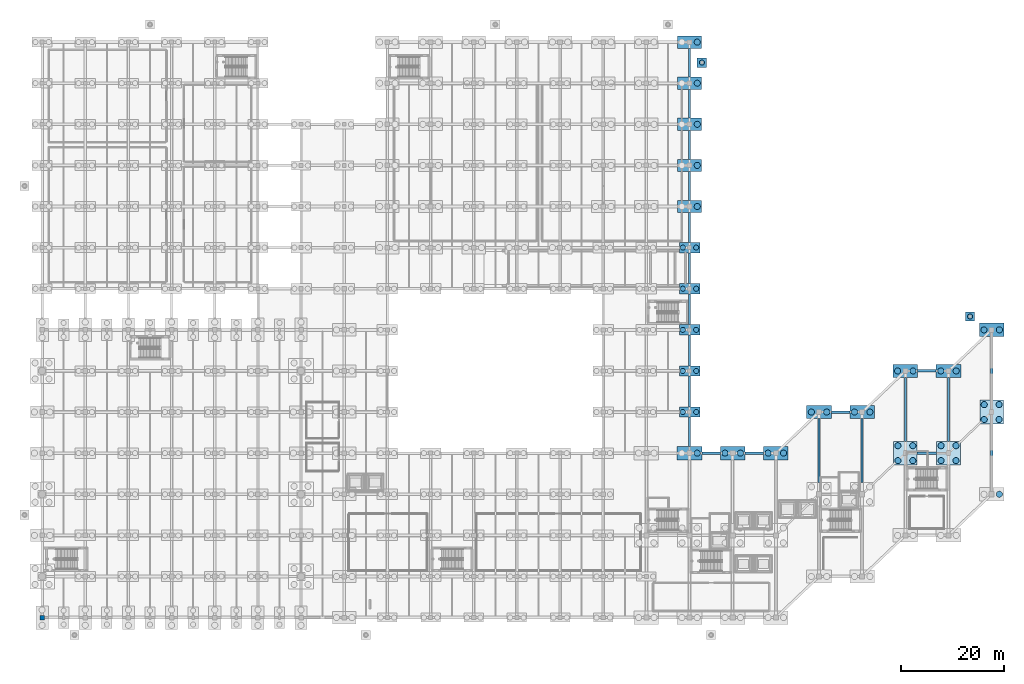
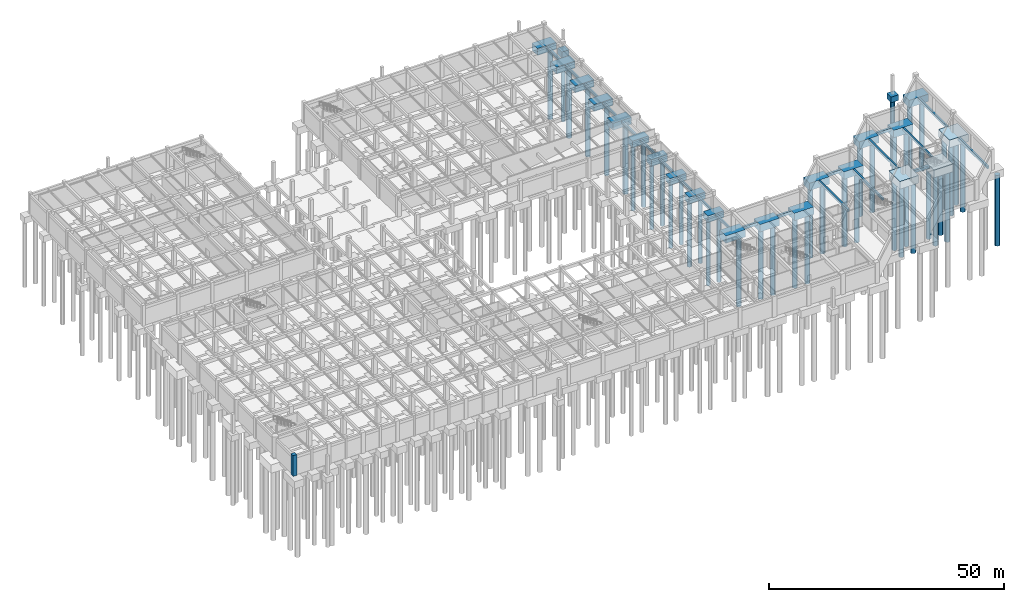
# One storey, part 10 of 56: 45 piles, 44 footings, 1 column.
"""IFC4 building model written with IfcOpenShell, lengths in metres."""

from ifc_helpers import new_model, si_unit, direction, frame, origin, origin_with_axes, origin_2d, place, context, subcontext, project, spatial, rectangle, circle, extrude, material, material_profile, profile_set, type_object, element, save


model = new_model("IFC4")

# Units and contexts
model_context = context("Model", 3, precision=1e-05, world=origin(), true_north=direction((0.0, 1.0)))
body_context = subcontext(model_context, "Body", "Model", "MODEL_VIEW")
ifc_project = project(units=[si_unit("LENGTHUNIT", "METRE"), si_unit("AREAUNIT", "SQUARE_METRE"), si_unit("VOLUMEUNIT", "CUBIC_METRE"), si_unit("PLANEANGLEUNIT", "RADIAN"), si_unit("MASSUNIT", "GRAM", prefix="KILO")], contexts=[model_context])

# Site, building, storey
site_placement = place(None, origin())
site = spatial("IfcSite", under=ifc_project, at=site_placement, CompositionType="ELEMENT")
building_placement = place(site_placement, origin())
building = spatial("IfcBuilding", under=site, at=building_placement, Name="Naruveol Harbour Congress Hotel", CompositionType="ELEMENT")
storey_placement = place(building_placement, frame((0.0, 0.0, -5.39990234375)))
storey = spatial("IfcBuildingStorey", under=building, at=storey_placement, Name="B01", CompositionType="ELEMENT", Elevation=-5.39990234375)

# Piles
ifc_material_1 = material(Name="Concrete C40/50", Category="concrete")
ifc_material_profile_1 = material_profile(ifc_material_1, circle(Radius=0.5, at=origin_2d()), Name="BP-1000")
ifc_profile_set_1 = profile_set([ifc_material_profile_1], Name="Concrete C40/50")
pile_type_1 = type_object("IfcPileType", Name="BORED ROCK SOCKETED PILE D1000", PredefinedType="BORED", material=ifc_profile_set_1)
for number, where, z_axis, x_axis, name in (
    (1, (124.699951171875, 40.0, -1.550048828125), (0.0, 0.0, -1.0), (1.0, 0.0, 0.0), "Bored pile BP-1000 #1 under FTG-CAP-1260-0400"),
    (2, (127.300048828125, 40.0, -1.550048828125), (0.0, 0.0, -1.0), (1.0, 0.0, 0.0), "Bored pile BP-1000 #2 under FTG-CAP-1260-0400"),
    (3, (124.699951171875, 48.0, -1.550048828125), (0.0, 0.0, -1.0), (1.0, 0.0, 0.0), "Bored pile BP-1000 #1 under FTG-CAP-1260-0480"),
    (4, (127.300048828125, 48.0, -1.550048828125), (0.0, 0.0, -1.0), (1.0, 0.0, 0.0), "Bored pile BP-1000 #2 under FTG-CAP-1260-0480"),
    (5, (124.699951171875, 56.0, -1.550048828125), (0.0, 0.0, -1.0), (1.0, 0.0, 0.0), "Bored pile BP-1000 #1 under FTG-CAP-1260-0560"),
    (6, (127.300048828125, 56.0, -1.550048828125), (0.0, 0.0, -1.0), (1.0, 0.0, 0.0), "Bored pile BP-1000 #2 under FTG-CAP-1260-0560"),
    (7, (124.699951171875, 64.0, -1.550048828125), (0.0, 0.0, -1.0), (1.0, 0.0, 0.0), "Bored pile BP-1000 #1 under FTG-CAP-1260-0640"),
    (8, (127.300048828125, 64.0, -1.550048828125), (0.0, 0.0, -1.0), (1.0, 0.0, 0.0), "Bored pile BP-1000 #2 under FTG-CAP-1260-0640"),
    (9, (124.699951171875, 72.0, -1.550048828125), (0.0, 0.0, -1.0), (1.0, 0.0, 0.0), "Bored pile BP-1000 #1 under FTG-CAP-1260-0720"),
    (10, (127.300048828125, 72.0, -1.550048828125), (0.0, 0.0, -1.0), (1.0, 0.0, 0.0), "Bored pile BP-1000 #2 under FTG-CAP-1260-0720"),
):
    element("IfcPile", number, at=place(storey_placement, frame(where, z_axis=z_axis, x_axis=x_axis)), inside=storey, type_object=pile_type_1, Name=name, PredefinedType="BORED", context=body_context, shape_type="SweptSolid", body=[
        extrude(circle(Radius=0.5, at=origin_2d()), origin(), (0.0, 0.0, 1.0), 17.050048828125),
    ])
for number, where, z_axis, x_axis, name in (
    (11, (128.39990234375, 108.0, -1.35009765625), (0.0, 0.0, -1.0), (1.0, 0.0, 0.0), "Bored pile BP-1000 #1 under FTG-CAP-1284-1080"),
    (12, (180.60009765625, 58.60009765625, -1.35009765625), (0.0, 0.0, -1.0), (1.0, 0.0, 0.0), "Bored pile BP-1000 #1 under FTG-CAP-1806-0586"),
):
    element("IfcPile", number, at=place(storey_placement, frame(where, z_axis=z_axis, x_axis=x_axis)), inside=storey, type_object=pile_type_1, Name=name, PredefinedType="BORED", context=body_context, shape_type="SweptSolid", body=[
        extrude(circle(Radius=0.5, at=origin_2d()), origin(), (0.0, 0.0, 1.0), 17.25),
    ])
ifc_material_2 = material(Name="Concrete C40/50", Category="concrete")
ifc_material_profile_2 = material_profile(ifc_material_2, circle(Radius=0.60009765625, at=origin_2d()), Name="BP-1200")
ifc_profile_set_2 = profile_set([ifc_material_profile_2], Name="Concrete C40/50")
pile_type_2 = type_object("IfcPileType", Name="BORED ROCK SOCKETED PILE D1200", PredefinedType="BORED", material=ifc_profile_set_2)
pile_placement = place(storey_placement, frame((127.5, 32.0, -1.75), z_axis=(0.0, 0.0, -1.0), x_axis=(1.0, 0.0, 0.0)))
element("IfcPile", 13, at=pile_placement, inside=storey, type_object=pile_type_2, Name="Bored pile BP-1200 #2 under FTG-CAP-1260-0320", PredefinedType="BORED", context=body_context, shape_type="SweptSolid", body=[
    extrude(circle(Radius=0.60009765625, at=origin_2d()), origin(), (0.0, 0.0, 1.0), 18.35009765625),
])
for number, where, z_axis, x_axis, name in (
    (14, (127.5, 80.0, -1.650146484375), (0.0, 0.0, -1.0), (1.0, 0.0, 0.0), "Bored pile BP-1200 #2 under FTG-CAP-1260-0800"),
    (15, (127.5, 88.0, -1.650146484375), (0.0, 0.0, -1.0), (1.0, 0.0, 0.0), "Bored pile BP-1200 #2 under FTG-CAP-1260-0880"),
    (16, (127.5, 96.0, -1.650146484375), (0.0, 0.0, -1.0), (1.0, 0.0, 0.0), "Bored pile BP-1200 #2 under FTG-CAP-1260-0960"),
    (17, (127.5, 104.0, -1.650146484375), (0.0, 0.0, -1.0), (1.0, 0.0, 0.0), "Bored pile BP-1200 #2 under FTG-CAP-1260-1040"),
    (18, (127.5, 112.0, -1.650146484375), (0.0, 0.0, -1.0), (1.0, 0.0, 0.0), "Bored pile BP-1200 #2 under FTG-CAP-1260-1120"),
):
    element("IfcPile", number, at=place(storey_placement, frame(where, z_axis=z_axis, x_axis=x_axis)), inside=storey, type_object=pile_type_2, Name=name, PredefinedType="BORED", context=body_context, shape_type="SweptSolid", body=[
        extrude(circle(Radius=0.60009765625, at=origin_2d()), origin(), (0.0, 0.0, 1.0), 18.449951171875),
    ])
for number, where, z_axis, x_axis, name in (
    (19, (132.89990234375, 32.0, -1.75), (0.0, 0.0, -1.0), (1.0, 0.0, 0.0), "Bored pile BP-1200 #1 under FTG-CAP-1344-0320"),
    (20, (135.89990234375, 32.0, -1.75), (0.0, 0.0, -1.0), (1.0, 0.0, 0.0), "Bored pile BP-1200 #2 under FTG-CAP-1344-0320"),
    (21, (141.300048828125, 32.0, -1.75), (0.0, 0.0, -1.0), (1.0, 0.0, 0.0), "Bored pile BP-1200 #1 under FTG-CAP-1428-0320"),
    (22, (144.300048828125, 32.0, -1.75), (0.0, 0.0, -1.0), (1.0, 0.0, 0.0), "Bored pile BP-1200 #2 under FTG-CAP-1428-0320"),
    (23, (149.699951171875, 40.0, -1.75), (0.0, 0.0, -1.0), (1.0, 0.0, 0.0), "Bored pile BP-1200 #1 under FTG-CAP-1512-0400"),
    (24, (152.699951171875, 40.0, -1.75), (0.0, 0.0, -1.0), (1.0, 0.0, 0.0), "Bored pile BP-1200 #2 under FTG-CAP-1512-0400"),
    (25, (158.10009765625, 40.0, -1.75), (0.0, 0.0, -1.0), (1.0, 0.0, 0.0), "Bored pile BP-1200 #1 under FTG-CAP-1596-0400"),
    (26, (161.10009765625, 40.0, -1.75), (0.0, 0.0, -1.0), (1.0, 0.0, 0.0), "Bored pile BP-1200 #2 under FTG-CAP-1596-0400"),
):
    element("IfcPile", number, at=place(storey_placement, frame(where, z_axis=z_axis, x_axis=x_axis)), inside=storey, type_object=pile_type_2, Name=name, PredefinedType="BORED", context=body_context, shape_type="SweptSolid", body=[
        extrude(circle(Radius=0.60009765625, at=origin_2d()), origin(), (0.0, 0.0, 1.0), 18.35009765625),
    ])
for number, where, z_axis, x_axis, name in (
    (27, (166.550048828125, 30.550048828125, -1.85009765625), (0.0, 0.0, -1.0), (1.0, 0.0, 0.0), "Bored pile BP-1200 #1 under FTG-CAP-1680-0320"),
    (28, (169.449951171875, 30.550048828125, -1.85009765625), (0.0, 0.0, -1.0), (1.0, 0.0, 0.0), "Bored pile BP-1200 #2 under FTG-CAP-1680-0320"),
    (29, (166.550048828125, 33.449951171875, -1.85009765625), (0.0, 0.0, -1.0), (1.0, 0.0, 0.0), "Bored pile BP-1200 #3 under FTG-CAP-1680-0320"),
    (30, (169.449951171875, 33.449951171875, -1.85009765625), (0.0, 0.0, -1.0), (1.0, 0.0, 0.0), "Bored pile BP-1200 #4 under FTG-CAP-1680-0320"),
):
    element("IfcPile", number, at=place(storey_placement, frame(where, z_axis=z_axis, x_axis=x_axis)), inside=storey, type_object=pile_type_2, Name=name, PredefinedType="BORED", context=body_context, shape_type="SweptSolid", body=[
        extrude(circle(Radius=0.60009765625, at=origin_2d()), origin(), (0.0, 0.0, 1.0), 18.25),
    ])
for number, where, z_axis, x_axis, name in (
    (31, (166.5, 48.0, -1.75), (0.0, 0.0, -1.0), (1.0, 0.0, 0.0), "Bored pile BP-1200 #1 under FTG-CAP-1680-0480"),
    (32, (169.5, 48.0, -1.75), (0.0, 0.0, -1.0), (1.0, 0.0, 0.0), "Bored pile BP-1200 #2 under FTG-CAP-1680-0480"),
):
    element("IfcPile", number, at=place(storey_placement, frame(where, z_axis=z_axis, x_axis=x_axis)), inside=storey, type_object=pile_type_2, Name=name, PredefinedType="BORED", context=body_context, shape_type="SweptSolid", body=[
        extrude(circle(Radius=0.60009765625, at=origin_2d()), origin(), (0.0, 0.0, 1.0), 18.35009765625),
    ])
for number, where, z_axis, x_axis, name in (
    (33, (174.949951171875, 30.550048828125, -1.85009765625), (0.0, 0.0, -1.0), (1.0, 0.0, 0.0), "Bored pile BP-1200 #1 under FTG-CAP-1764-0320"),
    (34, (177.85009765625, 30.550048828125, -1.85009765625), (0.0, 0.0, -1.0), (1.0, 0.0, 0.0), "Bored pile BP-1200 #2 under FTG-CAP-1764-0320"),
    (35, (174.949951171875, 33.449951171875, -1.85009765625), (0.0, 0.0, -1.0), (1.0, 0.0, 0.0), "Bored pile BP-1200 #3 under FTG-CAP-1764-0320"),
    (36, (177.85009765625, 33.449951171875, -1.85009765625), (0.0, 0.0, -1.0), (1.0, 0.0, 0.0), "Bored pile BP-1200 #4 under FTG-CAP-1764-0320"),
):
    element("IfcPile", number, at=place(storey_placement, frame(where, z_axis=z_axis, x_axis=x_axis)), inside=storey, type_object=pile_type_2, Name=name, PredefinedType="BORED", context=body_context, shape_type="SweptSolid", body=[
        extrude(circle(Radius=0.60009765625, at=origin_2d()), origin(), (0.0, 0.0, 1.0), 18.25),
    ])
for number, where, z_axis, x_axis, name in (
    (37, (174.89990234375, 48.0, -1.75), (0.0, 0.0, -1.0), (1.0, 0.0, 0.0), "Bored pile BP-1200 #1 under FTG-CAP-1764-0480"),
    (38, (177.89990234375, 48.0, -1.75), (0.0, 0.0, -1.0), (1.0, 0.0, 0.0), "Bored pile BP-1200 #2 under FTG-CAP-1764-0480"),
    (39, (186.300048828125, 24.0, -1.75), (0.0, 0.0, -1.0), (1.0, 0.0, 0.0), "Bored pile BP-1200 #2 under FTG-CAP-1848-0240"),
):
    element("IfcPile", number, at=place(storey_placement, frame(where, z_axis=z_axis, x_axis=x_axis)), inside=storey, type_object=pile_type_2, Name=name, PredefinedType="BORED", context=body_context, shape_type="SweptSolid", body=[
        extrude(circle(Radius=0.60009765625, at=origin_2d()), origin(), (0.0, 0.0, 1.0), 18.35009765625),
    ])
for number, where, z_axis, x_axis, name in (
    (40, (183.35009765625, 38.550048828125, -1.85009765625), (0.0, 0.0, -1.0), (1.0, 0.0, 0.0), "Bored pile BP-1200 #1 under FTG-CAP-1848-0400"),
    (41, (186.25, 38.550048828125, -1.85009765625), (0.0, 0.0, -1.0), (1.0, 0.0, 0.0), "Bored pile BP-1200 #2 under FTG-CAP-1848-0400"),
    (42, (183.35009765625, 41.449951171875, -1.85009765625), (0.0, 0.0, -1.0), (1.0, 0.0, 0.0), "Bored pile BP-1200 #3 under FTG-CAP-1848-0400"),
    (43, (186.25, 41.449951171875, -1.85009765625), (0.0, 0.0, -1.0), (1.0, 0.0, 0.0), "Bored pile BP-1200 #4 under FTG-CAP-1848-0400"),
):
    element("IfcPile", number, at=place(storey_placement, frame(where, z_axis=z_axis, x_axis=x_axis)), inside=storey, type_object=pile_type_2, Name=name, PredefinedType="BORED", context=body_context, shape_type="SweptSolid", body=[
        extrude(circle(Radius=0.60009765625, at=origin_2d()), origin(), (0.0, 0.0, 1.0), 18.25),
    ])
for number, where, z_axis, x_axis, name in (
    (44, (183.300048828125, 56.0, -1.75), (0.0, 0.0, -1.0), (1.0, 0.0, 0.0), "Bored pile BP-1200 #1 under FTG-CAP-1848-0560"),
    (45, (186.300048828125, 56.0, -1.75), (0.0, 0.0, -1.0), (1.0, 0.0, 0.0), "Bored pile BP-1200 #2 under FTG-CAP-1848-0560"),
):
    element("IfcPile", number, at=place(storey_placement, frame(where, z_axis=z_axis, x_axis=x_axis)), inside=storey, type_object=pile_type_2, Name=name, PredefinedType="BORED", context=body_context, shape_type="SweptSolid", body=[
        extrude(circle(Radius=0.60009765625, at=origin_2d()), origin(), (0.0, 0.0, 1.0), 18.35009765625),
    ])

# Footings
ifc_material_3 = material(Name="Concrete C40/50", Category="concrete")
footing_type_1 = type_object("IfcFootingType", Name="RC APRON EDGE PILE CAP 1800X1800X1500", PredefinedType="PILE_CAP", material=ifc_material_3)
for number, where, z_axis, x_axis, name in (
    (46, (128.39990234375, 108.0, -1.5), (0.0, 0.0, 1.0), (1.0, 0.0, 0.0), "Pile cap PC9 at (128.4, 108.0)"),
    (47, (180.60009765625, 58.60009765625, -1.5), (0.0, 0.0, 1.0), (1.0, 0.0, 0.0), "Pile cap PC9 at (180.6, 58.6)"),
):
    element("IfcFooting", number, at=place(storey_placement, frame(where, z_axis=z_axis, x_axis=x_axis)), inside=storey, type_object=footing_type_1, Name=name, PredefinedType="PILE_CAP", context=body_context, shape_type="SweptSolid", body=[
        extrude(rectangle(XDim=1.800048828125, YDim=1.800048828125, at=origin_2d()), origin(), (0.0, 0.0, 1.0), 1.5),
    ])
ifc_material_4 = material(Name="Concrete C40/50", Category="concrete")
ifc_material_profile_3 = material_profile(ifc_material_4, rectangle(XDim=0.39990234375, YDim=0.64990234375, at=origin_2d()), Name="RCB-400x650")
ifc_profile_set_3 = profile_set([ifc_material_profile_3], Name="Concrete C40/50")
footing_type_2 = type_object("IfcFootingType", Name="RC COLONNADE TIE BEAM 400X650", PredefinedType="FOOTING_BEAM", material=ifc_profile_set_3)
footing_1_placement = place(storey_placement, frame((126.0, 33.300048828125, -0.3251953125), z_axis=(0.0, 1.0, 0.0), x_axis=(-1.0, 0.0, 0.0)))
element("IfcFooting", 48, at=footing_1_placement, inside=storey, type_object=footing_type_2, Name="Foundation tie beam TB4 #417", PredefinedType="FOOTING_BEAM", context=body_context, shape_type="SweptSolid", body=[
    extrude(rectangle(XDim=0.39990234375, YDim=0.64990234375, at=origin_2d()), origin(), (0.0, 0.0, 1.0), 5.699951171875),
])
for number, where, z_axis, x_axis, name in (
    (49, (126.0, 41.0, -0.3251953125), (0.0, 1.0, 0.0), (-1.0, 0.0, 0.0), "Foundation tie beam TB4 #418"),
    (50, (126.0, 49.0, -0.3251953125), (0.0, 1.0, 0.0), (-1.0, 0.0, 0.0), "Foundation tie beam TB4 #419"),
    (51, (126.0, 57.0, -0.3251953125), (0.0, 1.0, 0.0), (-1.0, 0.0, 0.0), "Foundation tie beam TB4 #420"),
    (52, (126.0, 65.0, -0.3251953125), (0.0, 1.0, 0.0), (-1.0, 0.0, 0.0), "Foundation tie beam TB4 #421"),
):
    element("IfcFooting", number, at=place(storey_placement, frame(where, z_axis=z_axis, x_axis=x_axis)), inside=storey, type_object=footing_type_2, Name=name, PredefinedType="FOOTING_BEAM", context=body_context, shape_type="SweptSolid", body=[
        extrude(rectangle(XDim=0.39990234375, YDim=0.64990234375, at=origin_2d()), origin(), (0.0, 0.0, 1.0), 6.0),
    ])
footing_2_placement = place(storey_placement, frame((126.0, 73.0, -0.3251953125), z_axis=(0.0, 1.0, 0.0), x_axis=(-1.0, 0.0, 0.0)))
element("IfcFooting", 53, at=footing_2_placement, inside=storey, type_object=footing_type_2, Name="Foundation tie beam TB4 #422", PredefinedType="FOOTING_BEAM", context=body_context, shape_type="SweptSolid", body=[
    extrude(rectangle(XDim=0.39990234375, YDim=0.64990234375, at=origin_2d()), origin(), (0.0, 0.0, 1.0), 5.800048828125),
])
for number, where, z_axis, x_axis, name in (
    (54, (126.0, 81.199951171875, -0.3251953125), (0.0, 1.0, 0.0), (-1.0, 0.0, 0.0), "Foundation tie beam TB4 #423"),
    (55, (126.0, 89.199951171875, -0.3251953125), (0.0, 1.0, 0.0), (-1.0, 0.0, 0.0), "Foundation tie beam TB4 #424"),
    (56, (126.0, 97.199951171875, -0.3251953125), (0.0, 1.0, 0.0), (-1.0, 0.0, 0.0), "Foundation tie beam TB4 #425"),
    (57, (126.0, 105.199951171875, -0.3251953125), (0.0, 1.0, 0.0), (-1.0, 0.0, 0.0), "Foundation tie beam TB4 #426"),
):
    element("IfcFooting", number, at=place(storey_placement, frame(where, z_axis=z_axis, x_axis=x_axis)), inside=storey, type_object=footing_type_2, Name=name, PredefinedType="FOOTING_BEAM", context=body_context, shape_type="SweptSolid", body=[
        extrude(rectangle(XDim=0.39990234375, YDim=0.64990234375, at=origin_2d()), origin(), (0.0, 0.0, 1.0), 5.60009765625),
    ])
for number, where, z_axis, x_axis, name in (
    (58, (151.199951171875, 26.300048828125, -0.3251953125), (0.0, 1.0, 0.0), (-1.0, 0.0, 0.0), "Foundation tie beam TB4 #432"),
    (59, (159.60009765625, 26.300048828125, -0.3251953125), (0.0, 1.0, 0.0), (-1.0, 0.0, 0.0), "Foundation tie beam TB4 #434"),
    (60, (168.0, 34.300048828125, -0.3251953125), (0.0, 1.0, 0.0), (-1.0, 0.0, 0.0), "Foundation tie beam TB4 #436"),
    (61, (176.39990234375, 34.300048828125, -0.3251953125), (0.0, 1.0, 0.0), (-1.0, 0.0, 0.0), "Foundation tie beam TB4 #438"),
):
    element("IfcFooting", number, at=place(storey_placement, frame(where, z_axis=z_axis, x_axis=x_axis)), inside=storey, type_object=footing_type_2, Name=name, PredefinedType="FOOTING_BEAM", context=body_context, shape_type="SweptSolid", body=[
        extrude(rectangle(XDim=0.39990234375, YDim=0.64990234375, at=origin_2d()), origin(), (0.0, 0.0, 1.0), 12.39990234375),
    ])
ifc_material_5 = material(Name="Concrete C40/50", Category="concrete")
ifc_material_profile_4 = material_profile(ifc_material_5, rectangle(XDim=0.5, YDim=0.75, at=origin_2d()), Name="RCB-500x750")
ifc_profile_set_4 = profile_set([ifc_material_profile_4], Name="Concrete C40/50")
footing_type_3 = type_object("IfcFootingType", Name="RC FOUNDATION TIE BEAM 500X750", PredefinedType="FOOTING_BEAM", material=ifc_profile_set_4)
footing_3_placement = place(storey_placement, frame((128.39990234375, 32.0, -0.375), z_axis=(1.0, 0.0, 0.0), x_axis=(0.0, 1.0, 0.0)))
element("IfcFooting", 62, at=footing_3_placement, inside=storey, type_object=footing_type_3, Name="Foundation tie beam TB2 #86", PredefinedType="FOOTING_BEAM", context=body_context, shape_type="SweptSolid", body=[
    extrude(rectangle(XDim=0.5, YDim=0.75, at=origin_2d()), origin(), (0.0, 0.0, 1.0), 3.60009765625),
])
footing_4_placement = place(storey_placement, frame((136.800048828125, 32.0, -0.375), z_axis=(1.0, 0.0, 0.0), x_axis=(0.0, 1.0, 0.0)))
element("IfcFooting", 63, at=footing_4_placement, inside=storey, type_object=footing_type_3, Name="Foundation tie beam TB2 #87", PredefinedType="FOOTING_BEAM", context=body_context, shape_type="SweptSolid", body=[
    extrude(rectangle(XDim=0.5, YDim=0.75, at=origin_2d()), origin(), (0.0, 0.0, 1.0), 3.599853515625),
])
footing_5_placement = place(storey_placement, frame((170.300048828125, 32.0, -0.375), z_axis=(1.0, 0.0, 0.0), x_axis=(0.0, 1.0, 0.0)))
element("IfcFooting", 64, at=footing_5_placement, inside=storey, type_object=footing_type_3, Name="Foundation tie beam TB2 #88", PredefinedType="FOOTING_BEAM", context=body_context, shape_type="SweptSolid", body=[
    extrude(rectangle(XDim=0.5, YDim=0.75, at=origin_2d()), origin(), (0.0, 0.0, 1.0), 3.800048828125),
])
footing_6_placement = place(storey_placement, frame((153.60009765625, 40.0, -0.375), z_axis=(1.0, 0.0, 0.0), x_axis=(0.0, 1.0, 0.0)))
element("IfcFooting", 65, at=footing_6_placement, inside=storey, type_object=footing_type_3, Name="Foundation tie beam TB2 #99", PredefinedType="FOOTING_BEAM", context=body_context, shape_type="SweptSolid", body=[
    extrude(rectangle(XDim=0.5, YDim=0.75, at=origin_2d()), origin(), (0.0, 0.0, 1.0), 3.599853515625),
])
footing_7_placement = place(storey_placement, frame((170.39990234375, 48.0, -0.375), z_axis=(1.0, 0.0, 0.0), x_axis=(0.0, 1.0, 0.0)))
element("IfcFooting", 66, at=footing_7_placement, inside=storey, type_object=footing_type_3, Name="Foundation tie beam TB2 #110", PredefinedType="FOOTING_BEAM", context=body_context, shape_type="SweptSolid", body=[
    extrude(rectangle(XDim=0.5, YDim=0.75, at=origin_2d()), origin(), (0.0, 0.0, 1.0), 3.60009765625),
])
ifc_material_6 = material(Name="Concrete C40/50", Category="concrete")
footing_type_4 = type_object("IfcFootingType", Name="RC HALL PILE CAP 4600X2400X1800", PredefinedType="PILE_CAP", material=ifc_material_6)
for number, where, z_axis, x_axis, name in (
    (67, (126.0, 80.0, -1.80029296875), (0.0, 0.0, 1.0), (1.0, 0.0, 0.0), "Pile cap PC5 at (126.0, 80.0)"),
    (68, (126.0, 88.0, -1.80029296875), (0.0, 0.0, 1.0), (1.0, 0.0, 0.0), "Pile cap PC5 at (126.0, 88.0)"),
    (69, (126.0, 96.0, -1.80029296875), (0.0, 0.0, 1.0), (1.0, 0.0, 0.0), "Pile cap PC5 at (126.0, 96.0)"),
    (70, (126.0, 104.0, -1.80029296875), (0.0, 0.0, 1.0), (1.0, 0.0, 0.0), "Pile cap PC5 at (126.0, 104.0)"),
    (71, (126.0, 112.0, -1.80029296875), (0.0, 0.0, 1.0), (1.0, 0.0, 0.0), "Pile cap PC5 at (126.0, 112.0)"),
):
    element("IfcFooting", number, at=place(storey_placement, frame(where, z_axis=z_axis, x_axis=x_axis)), inside=storey, type_object=footing_type_4, Name=name, PredefinedType="PILE_CAP", context=body_context, shape_type="SweptSolid", body=[
        extrude(rectangle(XDim=4.60009765625, YDim=2.39990234375, at=origin_2d()), origin(), (0.0, 0.0, 1.0), 1.800048828125),
    ])
ifc_material_7 = material(Name="Concrete C40/50", Category="concrete")
footing_type_5 = type_object("IfcFootingType", Name="RC HOTEL PILE CAP 4600X4600X2000", PredefinedType="PILE_CAP", material=ifc_material_7)
for number, where, z_axis, x_axis, name in (
    (72, (168.0, 32.0, -2.0), (0.0, 0.0, 1.0), (1.0, 0.0, 0.0), "Pile cap PC3 at (168.0, 32.0)"),
    (73, (176.39990234375, 32.0, -2.0), (0.0, 0.0, 1.0), (1.0, 0.0, 0.0), "Pile cap PC3 at (176.4, 32.0)"),
    (74, (184.800048828125, 40.0, -2.0), (0.0, 0.0, 1.0), (1.0, 0.0, 0.0), "Pile cap PC3 at (184.8, 40.0)"),
):
    element("IfcFooting", number, at=place(storey_placement, frame(where, z_axis=z_axis, x_axis=x_axis)), inside=storey, type_object=footing_type_5, Name=name, PredefinedType="PILE_CAP", context=body_context, shape_type="SweptSolid", body=[
        extrude(rectangle(XDim=4.60009765625, YDim=4.60009765625, at=origin_2d()), origin(), (0.0, 0.0, 1.0), 2.0),
    ])
ifc_material_8 = material(Name="Concrete C40/50", Category="concrete")
ifc_material_profile_5 = material_profile(ifc_material_8, rectangle(XDim=0.449951171875, YDim=0.699951171875, at=origin_2d()), Name="RCB-450x700")
ifc_profile_set_5 = profile_set([ifc_material_profile_5], Name="Concrete C40/50")
footing_type_6 = type_object("IfcFootingType", Name="RC PERIMETER GRADE BEAM 450X700", PredefinedType="FOOTING_BEAM", material=ifc_profile_set_5)
for number, where, z_axis, x_axis, name in (
    (75, (184.800048828125, 25.300048828125, -0.35009765625), (0.0, 1.0, 0.0), (-1.0, 0.0, 0.0), "Foundation tie beam TB3 #439"),
    (76, (184.800048828125, 42.300048828125, -0.35009765625), (0.0, 1.0, 0.0), (-1.0, 0.0, 0.0), "Foundation tie beam TB3 #440"),
):
    element("IfcFooting", number, at=place(storey_placement, frame(where, z_axis=z_axis, x_axis=x_axis)), inside=storey, type_object=footing_type_6, Name=name, PredefinedType="FOOTING_BEAM", context=body_context, shape_type="SweptSolid", body=[
        extrude(rectangle(XDim=0.449951171875, YDim=0.699951171875, at=origin_2d()), origin(), (0.0, 0.0, 1.0), 12.39990234375),
    ])
ifc_material_9 = material(Name="Concrete C40/50", Category="concrete")
footing_type_7 = type_object("IfcFootingType", Name="RC PODIUM PILE CAP 4000X2000X1700", PredefinedType="PILE_CAP", material=ifc_material_9)
for number, where, z_axis, x_axis, name in (
    (77, (126.0, 40.0, -1.7001953125), (0.0, 0.0, 1.0), (1.0, 0.0, 0.0), "Pile cap PC6 at (126.0, 40.0)"),
    (78, (126.0, 48.0, -1.7001953125), (0.0, 0.0, 1.0), (1.0, 0.0, 0.0), "Pile cap PC6 at (126.0, 48.0)"),
    (79, (126.0, 56.0, -1.7001953125), (0.0, 0.0, 1.0), (1.0, 0.0, 0.0), "Pile cap PC6 at (126.0, 56.0)"),
    (80, (126.0, 64.0, -1.7001953125), (0.0, 0.0, 1.0), (1.0, 0.0, 0.0), "Pile cap PC6 at (126.0, 64.0)"),
    (81, (126.0, 72.0, -1.7001953125), (0.0, 0.0, 1.0), (1.0, 0.0, 0.0), "Pile cap PC6 at (126.0, 72.0)"),
):
    element("IfcFooting", number, at=place(storey_placement, frame(where, z_axis=z_axis, x_axis=x_axis)), inside=storey, type_object=footing_type_7, Name=name, PredefinedType="PILE_CAP", context=body_context, shape_type="SweptSolid", body=[
        extrude(rectangle(XDim=4.0, YDim=2.0, at=origin_2d()), origin(), (0.0, 0.0, 1.0), 1.699951171875),
    ])
ifc_material_10 = material(Name="Concrete C40/50", Category="concrete")
footing_type_8 = type_object("IfcFootingType", Name="RC TRANSFER PILE CAP 4800X2600X1900", PredefinedType="PILE_CAP", material=ifc_material_10)
for number, where, z_axis, x_axis, name in (
    (82, (126.0, 32.0, -1.900146484375), (0.0, 0.0, 1.0), (1.0, 0.0, 0.0), "Pile cap PC4 at (126.0, 32.0)"),
    (83, (134.39990234375, 32.0, -1.900146484375), (0.0, 0.0, 1.0), (1.0, 0.0, 0.0), "Pile cap PC4 at (134.4, 32.0)"),
    (84, (142.800048828125, 32.0, -1.900146484375), (0.0, 0.0, 1.0), (1.0, 0.0, 0.0), "Pile cap PC4 at (142.8, 32.0)"),
    (85, (151.199951171875, 40.0, -1.900146484375), (0.0, 0.0, 1.0), (1.0, 0.0, 0.0), "Pile cap PC4 at (151.2, 40.0)"),
    (86, (159.60009765625, 40.0, -1.900146484375), (0.0, 0.0, 1.0), (1.0, 0.0, 0.0), "Pile cap PC4 at (159.6, 40.0)"),
    (87, (168.0, 48.0, -1.900146484375), (0.0, 0.0, 1.0), (1.0, 0.0, 0.0), "Pile cap PC4 at (168.0, 48.0)"),
    (88, (176.39990234375, 48.0, -1.900146484375), (0.0, 0.0, 1.0), (1.0, 0.0, 0.0), "Pile cap PC4 at (176.4, 48.0)"),
    (89, (184.800048828125, 56.0, -1.900146484375), (0.0, 0.0, 1.0), (1.0, 0.0, 0.0), "Pile cap PC4 at (184.8, 56.0)"),
):
    element("IfcFooting", number, at=place(storey_placement, frame(where, z_axis=z_axis, x_axis=x_axis)), inside=storey, type_object=footing_type_8, Name=name, PredefinedType="PILE_CAP", context=body_context, shape_type="SweptSolid", body=[
        extrude(rectangle(XDim=4.800048828125, YDim=2.60009765625, at=origin_2d()), origin(), (0.0, 0.0, 1.0), 1.89990234375),
    ])

# Column
ifc_material_11 = material(Name="Concrete C50/60", Category="concrete")
ifc_material_profile_6 = material_profile(ifc_material_11, rectangle(XDim=0.89990234375, YDim=0.89990234375, at=origin_2d()), Name="RC-900x900")
ifc_profile_set_6 = profile_set([ifc_material_profile_6], Name="Concrete C50/60")
column_type = type_object("IfcColumnType", Name="RC PRIMARY COLUMN 900X900", PredefinedType="COLUMN", material=ifc_profile_set_6)
column_placement = place(storey_placement, origin_with_axes())
element("IfcColumn", 90, at=column_placement, inside=storey, type_object=column_type, Name="Column C-900 B01 (0.0,0.0)", PredefinedType="COLUMN", context=body_context, shape_type="SweptSolid", body=[
    extrude(rectangle(XDim=0.89990234375, YDim=0.89990234375, at=origin_2d()), origin(), (0.0, 0.0, 1.0), 5.39990234375),
])

save(model, "model.ifc")
